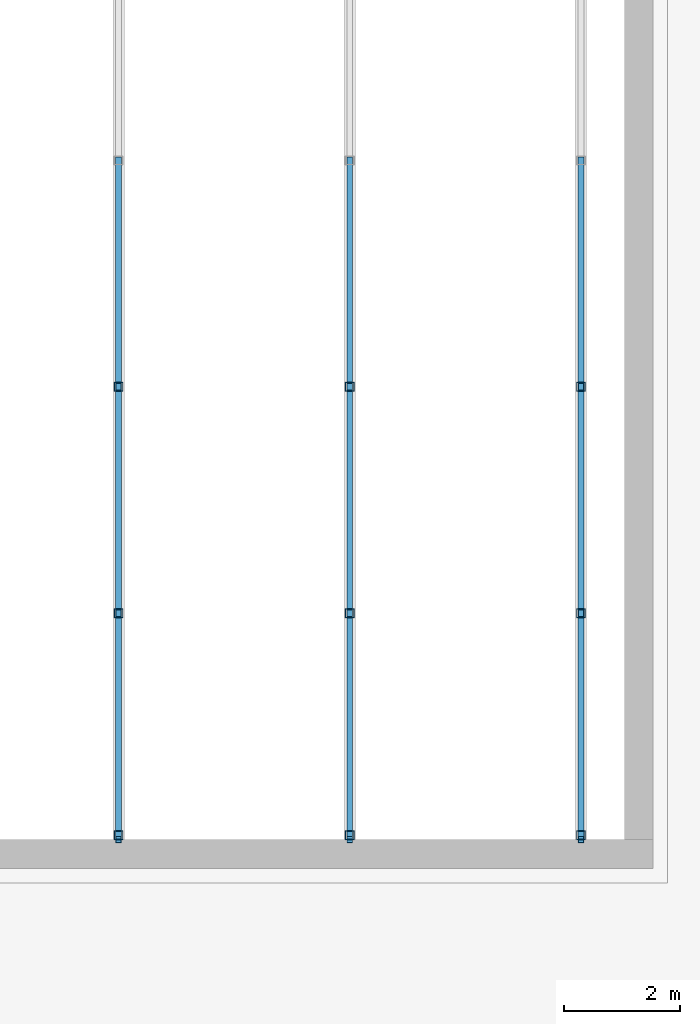
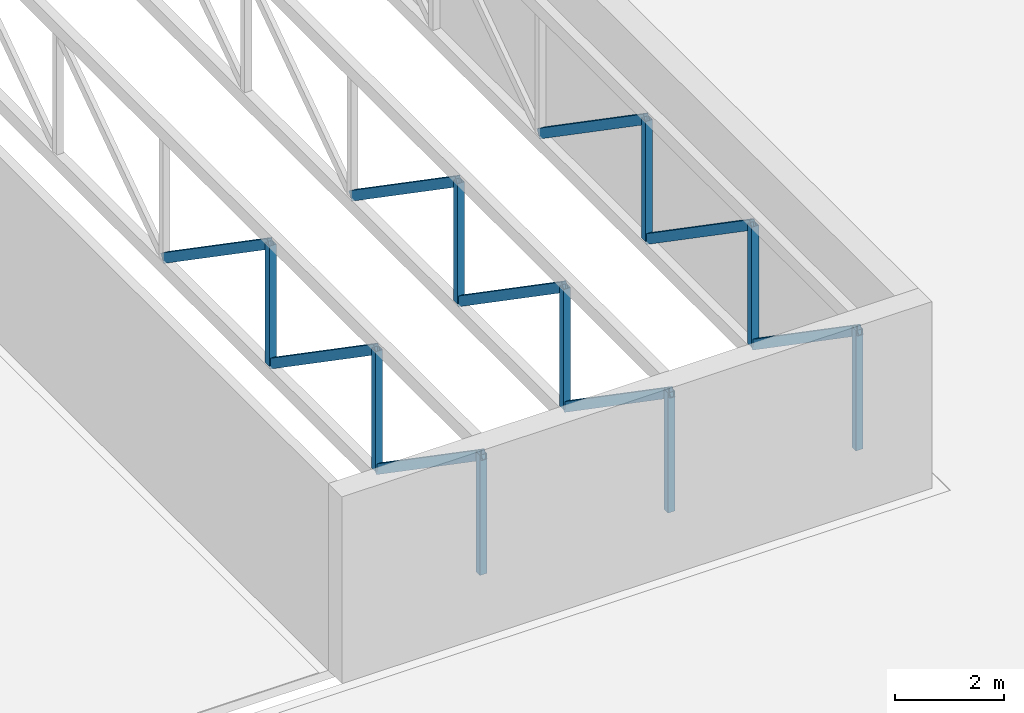
# One storey, part 7 of 33: 18 members.
"""IFC4 building model written with IfcOpenShell, lengths in metres."""

from ifc_helpers import new_model, si_unit, direction, frame, origin, origin_2d, place, context, subcontext, project, spatial, hollow_rectangle, extrude, material, material_profile, profile_set, type_object, element, save


model = new_model("IFC4")

# Units and contexts
model_context = context("Model", 3, precision=1e-05, world=origin(), true_north=direction((0.0, 1.0)))
body_context = subcontext(model_context, "Body", "Model", "MODEL_VIEW")
ifc_project = project(units=[si_unit("LENGTHUNIT", "METRE"), si_unit("AREAUNIT", "SQUARE_METRE"), si_unit("VOLUMEUNIT", "CUBIC_METRE"), si_unit("PLANEANGLEUNIT", "RADIAN"), si_unit("MASSUNIT", "GRAM", prefix="KILO")], contexts=[model_context])

# Site, building, storey
site_placement = place(None, origin())
site = spatial("IfcSite", under=ifc_project, at=site_placement, CompositionType="ELEMENT")
building_placement = place(site_placement, origin())
building = spatial("IfcBuilding", under=site, at=building_placement, Name="Nakaniwa Court", CompositionType="ELEMENT")
storey_placement = place(building_placement, frame((0.0, 0.0, 19.800048828125)))
storey = spatial("IfcBuildingStorey", under=building, at=storey_placement, Name="L04", CompositionType="ELEMENT", Elevation=19.800048828125)

# Members
ifc_material = material(Name="Steel AS/NZS 1163 Grade C350L0", Category="steel")
ifc_material_profile_1 = material_profile(ifc_material, hollow_rectangle(XDim=0.10009765625, YDim=0.199951171875, WallThickness=0.006103515625, at=origin_2d()), Name="RHS 200x100x6")
ifc_profile_set_1 = profile_set([ifc_material_profile_1], Name="Steel AS/NZS 1163 Grade C350L0")
member_type_1 = type_object("IfcMemberType", Name="Roof truss diagonal RHS 200x100x6", PredefinedType="BRACE", material=ifc_profile_set_1)
for number, where, z_axis, x_axis, name in (
    (1, (197.0, 68.25, 3.699951171875), (0.0, 0.823336002071, -0.567554250882), (-1.0, 0.0, 0.0), "Roof truss S1 diagonal 1"),
    (2, (197.0, 72.166748046875, 3.699951171875), (0.0, 0.82331946975, -0.567578233136), (-1.0, 0.0, 0.0), "Roof truss S1 diagonal 2"),
    (3, (197.0, 76.083251953125, 3.699951171875), (0.0, 0.823336002071, -0.567554250882), (-1.0, 0.0, 0.0), "Roof truss S1 diagonal 3"),
    (4, (201.0, 68.25, 3.699951171875), (0.0, 0.823336002071, -0.567554250882), (-1.0, 0.0, 0.0), "Roof truss S2 diagonal 1"),
    (5, (201.0, 72.166748046875, 3.699951171875), (0.0, 0.82331946975, -0.567578233136), (-1.0, 0.0, 0.0), "Roof truss S2 diagonal 2"),
    (6, (201.0, 76.083251953125, 3.699951171875), (0.0, 0.823336002071, -0.567554250882), (-1.0, 0.0, 0.0), "Roof truss S2 diagonal 3"),
    (7, (205.0, 68.25, 3.699951171875), (0.0, 0.823336002071, -0.567554250882), (-1.0, 0.0, 0.0), "Roof truss S3 diagonal 1"),
    (8, (205.0, 72.166748046875, 3.699951171875), (0.0, 0.82331946975, -0.567578233136), (-1.0, 0.0, 0.0), "Roof truss S3 diagonal 2"),
    (9, (205.0, 76.083251953125, 3.699951171875), (0.0, 0.823336002071, -0.567554250882), (-1.0, 0.0, 0.0), "Roof truss S3 diagonal 3"),
):
    element("IfcMember", number, at=place(storey_placement, frame(where, z_axis=z_axis, x_axis=x_axis)), inside=storey, type_object=member_type_1, Name=name, PredefinedType="BRACE", context=body_context, shape_type="SweptSolid", body=[
        extrude(hollow_rectangle(XDim=0.10009765625, YDim=0.199951171875, WallThickness=0.006103515625, at=origin_2d()), origin(), (0.0, 0.0, 1.0), 4.757080078125),
    ])
ifc_material_profile_2 = material_profile(ifc_material, hollow_rectangle(XDim=0.14990234375, YDim=0.14990234375, WallThickness=0.006103515625, at=origin_2d()), Name="SHS 150x150x6")
ifc_profile_set_2 = profile_set([ifc_material_profile_2], Name="Steel AS/NZS 1163 Grade C350L0")
member_type_2 = type_object("IfcMemberType", Name="Roof truss post SHS 150x150x6", PredefinedType="STRUT", material=ifc_profile_set_2)
for number, where, z_axis, x_axis, name in (
    (10, (197.0, 68.324951171875, 1.0), (0.0, 0.0, 1.0), (1.0, 0.0, 0.0), "Roof truss S1 post 1"),
    (11, (197.0, 72.166748046875, 1.0), (0.0, 0.0, 1.0), (1.0, 0.0, 0.0), "Roof truss S1 post 2"),
    (12, (197.0, 76.083251953125, 1.0), (0.0, 0.0, 1.0), (1.0, 0.0, 0.0), "Roof truss S1 post 3"),
    (13, (201.0, 68.324951171875, 1.0), (0.0, 0.0, 1.0), (1.0, 0.0, 0.0), "Roof truss S2 post 1"),
    (14, (201.0, 72.166748046875, 1.0), (0.0, 0.0, 1.0), (1.0, 0.0, 0.0), "Roof truss S2 post 2"),
    (15, (201.0, 76.083251953125, 1.0), (0.0, 0.0, 1.0), (1.0, 0.0, 0.0), "Roof truss S2 post 3"),
    (16, (205.0, 68.324951171875, 1.0), (0.0, 0.0, 1.0), (1.0, 0.0, 0.0), "Roof truss S3 post 1"),
    (17, (205.0, 72.166748046875, 1.0), (0.0, 0.0, 1.0), (1.0, 0.0, 0.0), "Roof truss S3 post 2"),
    (18, (205.0, 76.083251953125, 1.0), (0.0, 0.0, 1.0), (1.0, 0.0, 0.0), "Roof truss S3 post 3"),
):
    element("IfcMember", number, at=place(storey_placement, frame(where, z_axis=z_axis, x_axis=x_axis)), inside=storey, type_object=member_type_2, Name=name, PredefinedType="STRUT", context=body_context, shape_type="SweptSolid", body=[
        extrude(hollow_rectangle(XDim=0.14990234375, YDim=0.14990234375, WallThickness=0.006103515625, at=origin_2d()), origin(), (0.0, 0.0, 1.0), 2.699951171875),
    ])

save(model, "model.ifc")
